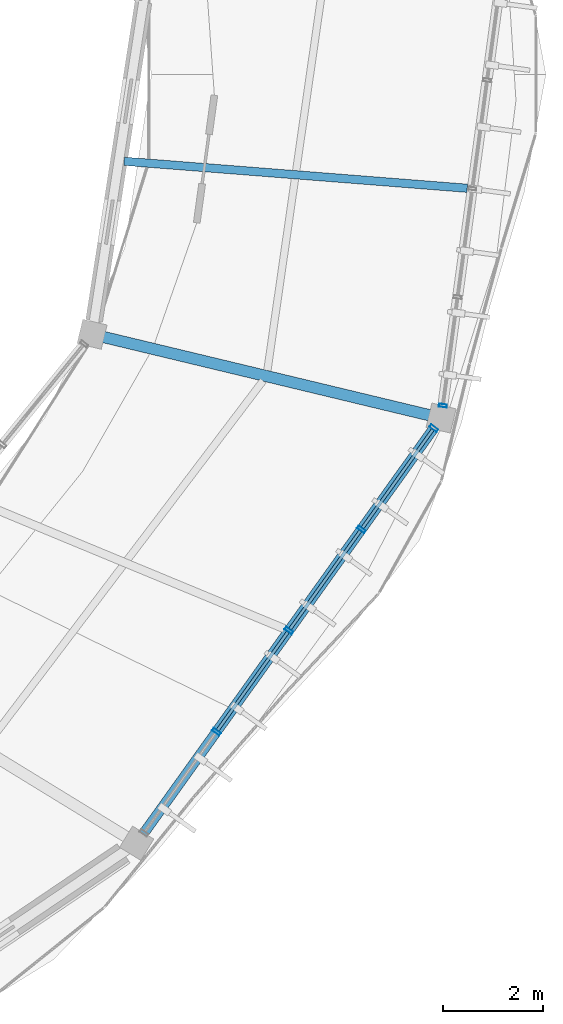
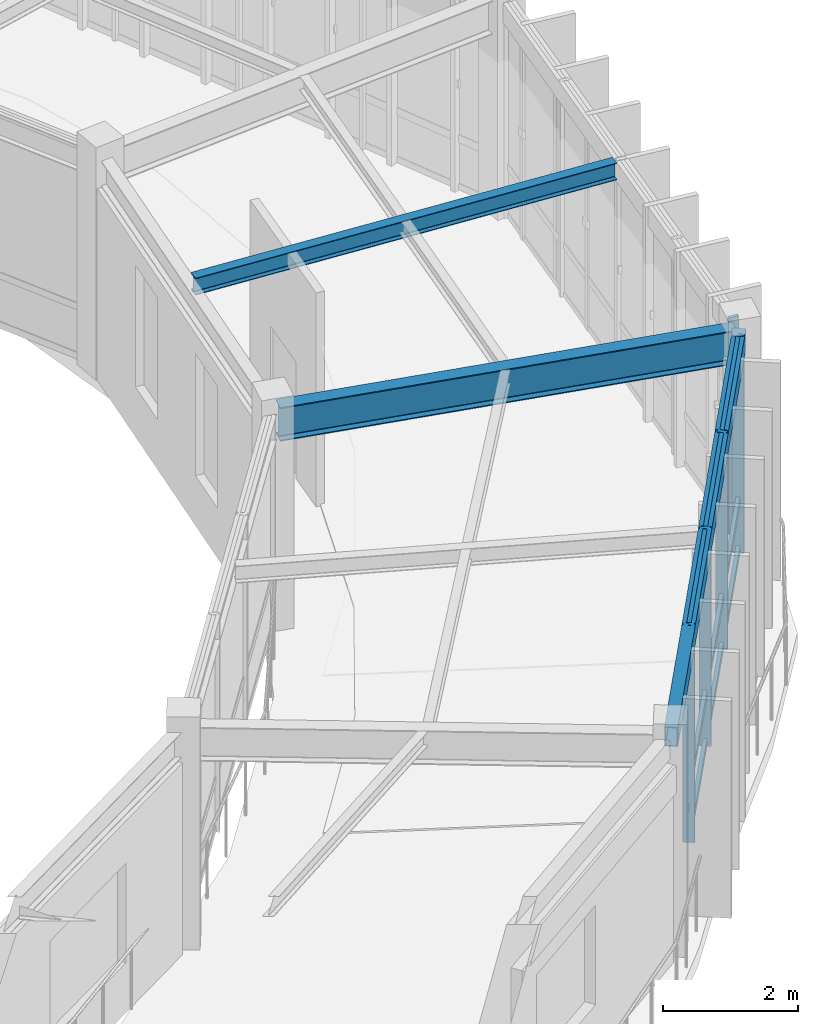
# One storey, part 51 of 78: 14 members, 3 beams, 2 elements without a shape of their own.
"""IFC4 building model written with IfcOpenShell, lengths in metres."""

from ifc_helpers import new_model, si_unit, direction, frame, origin, origin_2d, place, context, subcontext, project, spatial, hollow_rectangle, i_section, extrude, material, material_profile, profile_set, type_object, element, aggregate, save


model = new_model("IFC4")

# Units and contexts
model_context = context("Model", 3, precision=1e-05, world=origin(), true_north=direction((0.0, 1.0)))
body_context = subcontext(model_context, "Body", "Model", "MODEL_VIEW")
ifc_project = project(units=[si_unit("LENGTHUNIT", "METRE"), si_unit("AREAUNIT", "SQUARE_METRE"), si_unit("VOLUMEUNIT", "CUBIC_METRE"), si_unit("PLANEANGLEUNIT", "RADIAN"), si_unit("MASSUNIT", "GRAM", prefix="KILO"), si_unit("THERMODYNAMICTEMPERATUREUNIT", "KELVIN"), si_unit("POWERUNIT", "WATT")], contexts=[model_context])

# Site, building, storey
site_placement = place(None, origin())
site = spatial("IfcSite", under=ifc_project, at=site_placement, CompositionType="ELEMENT")
building_placement = place(site_placement, origin())
building = spatial("IfcBuilding", under=site, at=building_placement, Name="Darbajah Civic Hall", CompositionType="ELEMENT")
storey_placement = place(building_placement, frame((0.0, 0.0, 26.39990234375)))
storey = spatial("IfcBuildingStorey", under=building, at=storey_placement, Name="L06", CompositionType="ELEMENT", Elevation=26.39990234375)

# Curtain wall, member
ifc_material_1 = material(Name="Anodised Bronze Aluminium and Low-E Glazing", Category="aluminium")
curtain_wall_type_1 = type_object("IfcCurtainWallType", Name="Unitised Curtain Wall CW-93 8800x3900", PredefinedType="USERDEFINED", material=ifc_material_1)
curtain_wall_1_placement = place(storey_placement, origin())
curtain_wall_1 = element("IfcCurtainWall", 1, at=curtain_wall_1_placement, inside=storey, type_object=curtain_wall_type_1, Name="L06 unitised curtain wall CW-V1O-L06-19", ObjectType="UNITISED CURTAIN WALL", PredefinedType="USERDEFINED")
ifc_material_2 = material(Name="Anodised Bronze Aluminium", Category="aluminium")
ifc_material_profile_1 = material_profile(ifc_material_2, hollow_rectangle(XDim=0.06005859375, YDim=0.159912109375, WallThickness=0.00341796875, at=origin_2d()), Name="ALU MULLION 60x160")
ifc_profile_set_1 = profile_set([ifc_material_profile_1], Name="Anodised Bronze Aluminium")
member_type_1 = type_object("IfcMemberType", Name="ALU MULLION 60x160", PredefinedType="MULLION", material=ifc_profile_set_1)
member_1_placement = place(storey_placement, frame((138.724853515625, 83.1630859375, 0.0), z_axis=(0.0, 0.0, 1.0), x_axis=(0.134850930274, 0.990865897387, 0.0)))
member_1 = element("IfcMember", 2, at=member_1_placement, type_object=member_type_1, Name="CW-V1O-L06-19 mullion 1", PredefinedType="MULLION", context=body_context, shape_type="SweptSolid", body=[
    extrude(hollow_rectangle(XDim=0.06005859375, YDim=0.159912109375, WallThickness=0.00341796875, at=origin_2d()), origin(), (0.0, 0.0, 1.0), 3.920166015625),
])
aggregate(curtain_wall_1, [member_1])

# Curtain wall, members
curtain_wall_type_2 = type_object("IfcCurtainWallType", Name="Unitised Curtain Wall CW-92 10000x3900", PredefinedType="USERDEFINED", material=ifc_material_1)
curtain_wall_2_placement = place(storey_placement, origin())
curtain_wall_2 = element("IfcCurtainWall", 3, at=curtain_wall_2_placement, inside=storey, type_object=curtain_wall_type_2, Name="L06 unitised curtain wall CW-V1O-L06-18", ObjectType="UNITISED CURTAIN WALL", PredefinedType="USERDEFINED")
ifc_material_profile_2 = material_profile(ifc_material_2, hollow_rectangle(XDim=0.06494140625, YDim=0.179931640625, WallThickness=0.00390625, at=origin_2d()), Name="ALU MULLION 65x180")
ifc_profile_set_2 = profile_set([ifc_material_profile_2], Name="Anodised Bronze Aluminium")
member_type_2 = type_object("IfcMemberType", Name="ALU MULLION 65x180", PredefinedType="MULLION", material=ifc_profile_set_2)
member_2_placement = place(storey_placement, frame((134.1845703125, 76.62060546875, 0.0), z_axis=(0.0, 0.0, 1.0), x_axis=(0.582264874145, 0.812999149039, 0.0)))
member_2 = element("IfcMember", 4, at=member_2_placement, type_object=member_type_2, Name="CW-V1O-L06-18 mullion 2", PredefinedType="MULLION", context=body_context, shape_type="SweptSolid", body=[
    extrude(hollow_rectangle(XDim=0.06494140625, YDim=0.179931640625, WallThickness=0.00390625, at=origin_2d()), origin(), (0.0, 0.0, 1.0), 3.920166015625),
])
member_3_placement = place(storey_placement, frame((135.6376953125, 78.64990234375, 0.0), z_axis=(0.0, 0.0, 1.0), x_axis=(0.582264874145, 0.812999149039, 0.0)))
member_3 = element("IfcMember", 5, at=member_3_placement, type_object=member_type_2, Name="CW-V1O-L06-18 mullion 3", PredefinedType="MULLION", context=body_context, shape_type="SweptSolid", body=[
    extrude(hollow_rectangle(XDim=0.06494140625, YDim=0.179931640625, WallThickness=0.00390625, at=origin_2d()), origin(), (0.0, 0.0, 1.0), 3.920166015625),
])
member_4_placement = place(storey_placement, frame((137.091064453125, 80.67919921875, 0.0), z_axis=(0.0, 0.0, 1.0), x_axis=(0.582264874145, 0.812999149039, 0.0)))
member_4 = element("IfcMember", 6, at=member_4_placement, type_object=member_type_2, Name="CW-V1O-L06-18 mullion 4", PredefinedType="MULLION", context=body_context, shape_type="SweptSolid", body=[
    extrude(hollow_rectangle(XDim=0.06494140625, YDim=0.179931640625, WallThickness=0.00390625, at=origin_2d()), origin(), (0.0, 0.0, 1.0), 3.920166015625),
])
member_5_placement = place(storey_placement, frame((138.544189453125, 82.70849609375, 0.0), z_axis=(0.0, 0.0, 1.0), x_axis=(0.582264874145, 0.812999149039, 0.0)))
member_5 = element("IfcMember", 7, at=member_5_placement, type_object=member_type_2, Name="CW-V1O-L06-18 mullion 5", PredefinedType="MULLION", context=body_context, shape_type="SweptSolid", body=[
    extrude(hollow_rectangle(XDim=0.06494140625, YDim=0.179931640625, WallThickness=0.00390625, at=origin_2d()), origin(), (0.0, 0.0, 1.0), 3.920166015625),
])
ifc_material_profile_3 = material_profile(ifc_material_2, hollow_rectangle(XDim=0.06494140625, YDim=0.139892578125, WallThickness=0.00341796875, at=origin_2d()), Name="ALU TRANSOM 65x140")
ifc_profile_set_3 = profile_set([ifc_material_profile_3], Name="Anodised Bronze Aluminium")
member_type_3 = type_object("IfcMemberType", Name="ALU TRANSOM 65x140", PredefinedType="USERDEFINED", material=ifc_profile_set_3)
member_6_placement = place(storey_placement, frame((134.206298828125, 76.65087890625, 0.070068359375), z_axis=(0.582220228229, 0.813031122308, 0.0), x_axis=(-0.813031122308, 0.582220228229, 0.0)))
member_6 = element("IfcMember", 8, at=member_6_placement, type_object=member_type_3, Name="CW-V1O-L06-18 transom 2.1", ObjectType="TRANSOM", PredefinedType="USERDEFINED", context=body_context, shape_type="SweptSolid", body=[
    extrude(hollow_rectangle(XDim=0.06494140625, YDim=0.139892578125, WallThickness=0.00341796875, at=origin_2d()), origin(), (0.0, 0.0, 1.0), 2.421142578125),
])
member_7_placement = place(storey_placement, frame((134.206298828125, 76.65087890625, 0.9501953125), z_axis=(0.582220228229, 0.813031122308, 0.0), x_axis=(-0.813031122308, 0.582220228229, 0.0)))
member_7 = element("IfcMember", 9, at=member_7_placement, type_object=member_type_3, Name="CW-V1O-L06-18 transom 2.2", ObjectType="TRANSOM", PredefinedType="USERDEFINED", context=body_context, shape_type="SweptSolid", body=[
    extrude(hollow_rectangle(XDim=0.06494140625, YDim=0.139892578125, WallThickness=0.00341796875, at=origin_2d()), origin(), (0.0, 0.0, 1.0), 2.421142578125),
])
member_8_placement = place(storey_placement, frame((134.206298828125, 76.65087890625, 3.85009765625), z_axis=(0.582220228229, 0.813031122308, 0.0), x_axis=(-0.813031122308, 0.582220228229, 0.0)))
member_8 = element("IfcMember", 10, at=member_8_placement, type_object=member_type_3, Name="CW-V1O-L06-18 transom 2.3", ObjectType="TRANSOM", PredefinedType="USERDEFINED", context=body_context, shape_type="SweptSolid", body=[
    extrude(hollow_rectangle(XDim=0.06494140625, YDim=0.139892578125, WallThickness=0.00341796875, at=origin_2d()), origin(), (0.0, 0.0, 1.0), 2.421142578125),
])
member_9_placement = place(storey_placement, frame((135.65966796875, 78.680419921875, 0.070068359375), z_axis=(0.582201303106, 0.813044674457, 0.0), x_axis=(-0.813044674457, 0.582201303106, 0.0)))
member_9 = element("IfcMember", 11, at=member_9_placement, type_object=member_type_3, Name="CW-V1O-L06-18 transom 3.1", ObjectType="TRANSOM", PredefinedType="USERDEFINED", context=body_context, shape_type="SweptSolid", body=[
    extrude(hollow_rectangle(XDim=0.06494140625, YDim=0.139892578125, WallThickness=0.00341796875, at=origin_2d()), origin(), (0.0, 0.0, 1.0), 2.4208984375),
])
member_10_placement = place(storey_placement, frame((135.65966796875, 78.680419921875, 0.9501953125), z_axis=(0.582201303106, 0.813044674457, 0.0), x_axis=(-0.813044674457, 0.582201303106, 0.0)))
member_10 = element("IfcMember", 12, at=member_10_placement, type_object=member_type_3, Name="CW-V1O-L06-18 transom 3.2", ObjectType="TRANSOM", PredefinedType="USERDEFINED", context=body_context, shape_type="SweptSolid", body=[
    extrude(hollow_rectangle(XDim=0.06494140625, YDim=0.139892578125, WallThickness=0.00341796875, at=origin_2d()), origin(), (0.0, 0.0, 1.0), 2.4208984375),
])
member_11_placement = place(storey_placement, frame((135.65966796875, 78.680419921875, 3.85009765625), z_axis=(0.582201303106, 0.813044674457, 0.0), x_axis=(-0.813044674457, 0.582201303106, 0.0)))
member_11 = element("IfcMember", 13, at=member_11_placement, type_object=member_type_3, Name="CW-V1O-L06-18 transom 3.3", ObjectType="TRANSOM", PredefinedType="USERDEFINED", context=body_context, shape_type="SweptSolid", body=[
    extrude(hollow_rectangle(XDim=0.06494140625, YDim=0.139892578125, WallThickness=0.00341796875, at=origin_2d()), origin(), (0.0, 0.0, 1.0), 2.4208984375),
])
member_12_placement = place(storey_placement, frame((137.11279296875, 80.709716796875, 0.070068359375), z_axis=(0.582267962626, 0.812996937079, 0.0), x_axis=(-0.812996937079, 0.582267962626, 0.0)))
member_12 = element("IfcMember", 14, at=member_12_placement, type_object=member_type_3, Name="CW-V1O-L06-18 transom 4.1", ObjectType="TRANSOM", PredefinedType="USERDEFINED", context=body_context, shape_type="SweptSolid", body=[
    extrude(hollow_rectangle(XDim=0.06494140625, YDim=0.139892578125, WallThickness=0.00341796875, at=origin_2d()), origin(), (0.0, 0.0, 1.0), 2.4208984375),
])
member_13_placement = place(storey_placement, frame((137.11279296875, 80.709716796875, 0.9501953125), z_axis=(0.582267962626, 0.812996937079, 0.0), x_axis=(-0.812996937079, 0.582267962626, 0.0)))
member_13 = element("IfcMember", 15, at=member_13_placement, type_object=member_type_3, Name="CW-V1O-L06-18 transom 4.2", ObjectType="TRANSOM", PredefinedType="USERDEFINED", context=body_context, shape_type="SweptSolid", body=[
    extrude(hollow_rectangle(XDim=0.06494140625, YDim=0.139892578125, WallThickness=0.00341796875, at=origin_2d()), origin(), (0.0, 0.0, 1.0), 2.4208984375),
])
member_14_placement = place(storey_placement, frame((137.11279296875, 80.709716796875, 3.85009765625), z_axis=(0.582267962626, 0.812996937079, 0.0), x_axis=(-0.812996937079, 0.582267962626, 0.0)))
member_14 = element("IfcMember", 16, at=member_14_placement, type_object=member_type_3, Name="CW-V1O-L06-18 transom 4.3", ObjectType="TRANSOM", PredefinedType="USERDEFINED", context=body_context, shape_type="SweptSolid", body=[
    extrude(hollow_rectangle(XDim=0.06494140625, YDim=0.139892578125, WallThickness=0.00341796875, at=origin_2d()), origin(), (0.0, 0.0, 1.0), 2.4208984375),
])
aggregate(curtain_wall_2, [member_2, member_3, member_4, member_5, member_6, member_7, member_8, member_9, member_10, member_11, member_12, member_13, member_14])

# Beams
ifc_material_3 = material(Name="Steel S355JR", Category="steel")
ifc_material_profile_4 = material_profile(ifc_material_3, hollow_rectangle(XDim=0.199951171875, YDim=0.35009765625, WallThickness=0.012451171875, at=origin_2d()), Name="RHS 350x200x12.5")
ifc_profile_set_4 = profile_set([ifc_material_profile_4], Name="Steel S355JR")
beam_type_1 = type_object("IfcBeamType", Name="RHS 350x200x12.5", PredefinedType="SPANDREL", material=ifc_profile_set_4)
beam_1_placement = place(storey_placement, frame((132.631103515625, 74.451416015625, 3.7451171875), z_axis=(0.58222165068, 0.813030103674, 0.0), x_axis=(-0.813030103674, 0.58222165068, 0.0)))
element("IfcBeam", 17, at=beam_1_placement, inside=storey, type_object=beam_type_1, Name="L06 beam SP-RHS350", PredefinedType="SPANDREL", context=body_context, shape_type="SweptSolid", body=[
    extrude(hollow_rectangle(XDim=0.199951171875, YDim=0.35009765625, WallThickness=0.012451171875, at=origin_2d()), origin(), (0.0, 0.0, 1.0), 10.327880859375),
])
ifc_material_profile_5 = material_profile(ifc_material_3, i_section(OverallWidth=0.165771484375, OverallDepth=0.306640625, WebThickness=0.006591796875, FlangeThickness=0.01171875, FilletRadius=0.0087890625, at=origin_2d()), Name="UB 305x165x46")
ifc_profile_set_5 = profile_set([ifc_material_profile_5], Name="Steel S355JR")
beam_type_2 = type_object("IfcBeamType", Name="UB 305x165x46", PredefinedType="JOIST", material=ifc_profile_set_5)
beam_2_placement = place(storey_placement, frame((132.3330078125, 88.063720703125, 3.766845703125), z_axis=(0.996916012499, -0.078475881788, 0.0), x_axis=(0.078475881788, 0.996916012499, 0.0)))
element("IfcBeam", 18, at=beam_2_placement, inside=storey, type_object=beam_type_2, Name="L06 beam SJ-305", PredefinedType="JOIST", context=body_context, shape_type="SweptSolid", body=[
    extrude(i_section(OverallWidth=0.165771484375, OverallDepth=0.306640625, WebThickness=0.006591796875, FlangeThickness=0.01171875, FilletRadius=0.0087890625, at=origin_2d()), origin(), (0.0, 0.0, 1.0), 6.9033203125),
])
ifc_material_profile_6 = material_profile(ifc_material_3, i_section(OverallWidth=0.228271484375, OverallDepth=0.607666015625, WebThickness=0.010986328125, FlangeThickness=0.017333984375, FilletRadius=0.0126953125, at=origin_2d()), Name="UB 610x229x113")
ifc_profile_set_6 = profile_set([ifc_material_profile_6], Name="Steel S355JR")
beam_type_3 = type_object("IfcBeamType", Name="UB 610x229x113", PredefinedType="BEAM", material=ifc_profile_set_6)
beam_3_placement = place(storey_placement, frame((131.767578125, 84.575439453125, 3.6162109375), z_axis=(0.972374394108, -0.233426728726, 0.0), x_axis=(0.233426728726, 0.972374394108, 0.0)))
element("IfcBeam", 19, at=beam_3_placement, inside=storey, type_object=beam_type_3, Name="L06 beam SB-610", PredefinedType="BEAM", context=body_context, shape_type="SweptSolid", body=[
    extrude(i_section(OverallWidth=0.228271484375, OverallDepth=0.607666015625, WebThickness=0.010986328125, FlangeThickness=0.017333984375, FilletRadius=0.0126953125, at=origin_2d()), origin(), (0.0, 0.0, 1.0), 7.0400390625),
])

save(model, "model.ifc")
